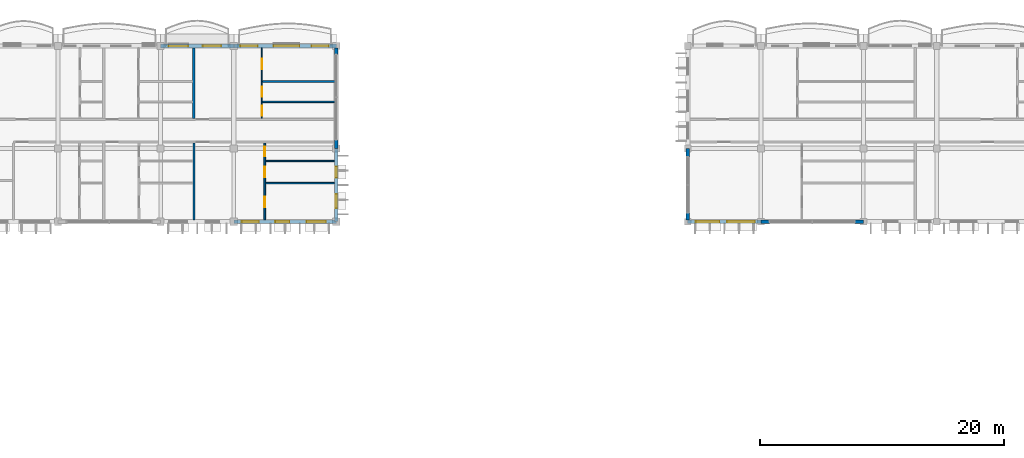
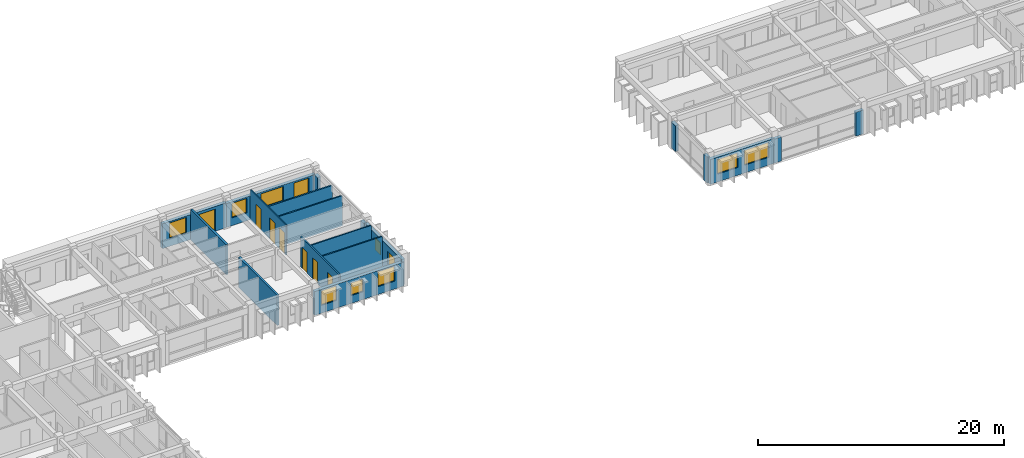
# One storey, part 32 of 68: 19 walls, 10 windows, 8 doors, 18 openings.
"""IFC4 building model written with IfcOpenShell, lengths in metres."""

from ifc_helpers import new_model, si_unit, direction, frame, frame_2d, origin, place, context, subcontext, project, spatial, rectangle, extrude, material, layer, layer_set, type_object, element, fill, save


model = new_model("IFC4")

# Units and contexts
model_context = context("Model", 3, precision=1e-05, world=origin(), true_north=direction((0.0, 1.0)))
body_context = subcontext(model_context, "Body", "Model", "MODEL_VIEW")
ifc_project = project(units=[si_unit("LENGTHUNIT", "METRE"), si_unit("AREAUNIT", "SQUARE_METRE"), si_unit("VOLUMEUNIT", "CUBIC_METRE"), si_unit("PLANEANGLEUNIT", "RADIAN"), si_unit("MASSUNIT", "GRAM", prefix="KILO"), si_unit("THERMODYNAMICTEMPERATUREUNIT", "KELVIN")], contexts=[model_context])

# Site, building, storey
site_placement = place(None, origin())
site = spatial("IfcSite", under=ifc_project, at=site_placement, CompositionType="ELEMENT")
building_placement = place(site_placement, origin())
building = spatial("IfcBuilding", under=site, at=building_placement, Name="Thalorik Housing Commons", CompositionType="ELEMENT")
storey_placement = place(building_placement, frame((0.0, 0.0, 24.60009765625)))
storey = spatial("IfcBuildingStorey", under=building, at=storey_placement, Name="L07", CompositionType="ELEMENT", Elevation=24.60009765625)

# Walls
ifc_material_1 = material(Name="White precast concrete C40/50", Category="concrete")
ifc_layer_1 = layer(ifc_material_1, 0.2900390625, Name="White precast concrete C40/50", Category="concrete")
ifc_layer_set_1 = layer_set([ifc_layer_1], Name="White precast concrete C40/50")
wall_type_1 = type_object("IfcWallType", Name="ARC-WAL-EXT-290", PredefinedType="STANDARD", material=ifc_layer_set_1)
wall_1_placement = place(storey_placement, frame((80.39990234375, 115.199951171875, 0.0), z_axis=(0.0, 0.0, 1.0), x_axis=(0.0, -1.0, 0.0)))
element("IfcWall", 1, at=wall_1_placement, inside=storey, type_object=wall_type_1, Name="L07 Exterior Wall WAL-PIERL-L07-B-0650", PredefinedType="STANDARD", context=body_context, shape_type="SweptSolid", body=[
    extrude(rectangle(XDim=0.699951171875, YDim=0.2900390625, at=frame_2d((0.35009765625, 0.0))), origin(), (0.0, 0.0, 1.0), 2.574951171875),
])
wall_2_placement = place(storey_placement, frame((80.39990234375, 109.89990234375, 0.0), z_axis=(0.0, 0.0, 1.0), x_axis=(0.0, -1.0, 0.0)))
element("IfcWall", 2, at=wall_2_placement, inside=storey, type_object=wall_type_1, Name="L07 Exterior Wall WAL-PIERR-L07-B-0650", PredefinedType="STANDARD", context=body_context, shape_type="SweptSolid", body=[
    extrude(rectangle(XDim=0.552978515625, YDim=0.2900390625, at=frame_2d((0.2763671875, 0.0))), origin(), (0.0, 0.0, 1.0), 2.574951171875),
])

# Wall, openings, windows
wall_3_placement = place(storey_placement, frame((80.39990234375, 109.199951171875, 0.0), z_axis=(0.0, 0.0, 1.0), x_axis=(1.0, 0.0, 0.0)))
wall_3 = element("IfcWall", 3, at=wall_3_placement, inside=storey, type_object=wall_type_1, Name="L07 Exterior Wall WAL-EXT-L07-B-0651", PredefinedType="STANDARD", context=body_context, shape_type="SweptSolid", body=[
    extrude(rectangle(XDim=6.0, YDim=0.2900390625, at=frame_2d((3.0, 0.0))), origin(), (0.0, 0.0, 1.0), 2.474853515625),
])
opening_1_placement = place(wall_3_placement, frame((0.669921875, 0.0, 0.780029296875)))
opening_1 = element("IfcOpeningElement", 4, at=opening_1_placement, cuts=wall_3, Name="Opening W-60", PredefinedType="OPENING", context=body_context, shape_type="SweptSolid", body=[
    extrude(rectangle(XDim=1.919921875, YDim=1.43994140625, at=frame_2d((0.9599609375, 0.719970703125))), frame((0.0, 0.155029296875, 0.0), z_axis=(0.0, -1.0, 0.0), x_axis=(1.0, 0.0, 0.0)), (0.0, 0.0, 1.0), 0.31005859375),
])
opening_2_placement = place(wall_3_placement, frame((3.22998046875, 0.0, 0.780029296875)))
opening_2 = element("IfcOpeningElement", 5, at=opening_2_placement, cuts=wall_3, Name="Opening W-67", PredefinedType="OPENING", context=body_context, shape_type="SweptSolid", body=[
    extrude(rectangle(XDim=2.280029296875, YDim=1.4599609375, at=frame_2d((1.14013671875, 0.72998046875))), frame((0.0, 0.155029296875, 0.0), z_axis=(0.0, -1.0, 0.0), x_axis=(1.0, 0.0, 0.0)), (0.0, 0.0, 1.0), 0.31005859375),
])
ifc_material_2 = material(Name="Anodised aluminium and solar-control low-E glass", Category="aluminium")
window_type_1 = type_object("IfcWindowType", Name="ARC-WIN-60", PartitioningType="DOUBLE_PANEL_VERTICAL", PredefinedType="WINDOW", material=ifc_material_2)
window_1_placement = place(opening_1_placement, origin())
window_1 = element("IfcWindow", 6, at=window_1_placement, inside=storey, type_object=window_type_1, Name="L07 Facade Window 1189", OverallHeight=1.43994140625, OverallWidth=1.919921875, PartitioningType="DOUBLE_PANEL_VERTICAL", PredefinedType="WINDOW", context=body_context, shape_type="SweptSolid", body=[
    extrude(rectangle(XDim=1.919921875, YDim=1.43994140625, at=frame_2d((0.9599609375, 0.719970703125))), frame((0.0, 0.030029296875, 0.0), z_axis=(0.0, -1.0, 0.0), x_axis=(1.0, 0.0, 0.0)), (0.0, 0.0, 1.0), 0.06005859375),
])
fill(opening_1, window_1)
window_type_2 = type_object("IfcWindowType", Name="ARC-WIN-67", PartitioningType="DOUBLE_PANEL_VERTICAL", PredefinedType="WINDOW", material=ifc_material_2)
window_2_placement = place(opening_2_placement, origin())
window_2 = element("IfcWindow", 7, at=window_2_placement, inside=storey, type_object=window_type_2, Name="L07 Facade Window 1190", OverallHeight=1.4599609375, OverallWidth=2.280029296875, PartitioningType="DOUBLE_PANEL_VERTICAL", PredefinedType="WINDOW", context=body_context, shape_type="SweptSolid", body=[
    extrude(rectangle(XDim=2.280029296875, YDim=1.4599609375, at=frame_2d((1.14013671875, 0.72998046875))), frame((0.0, 0.030029296875, 0.0), z_axis=(0.0, -1.0, 0.0), x_axis=(1.0, 0.0, 0.0)), (0.0, 0.0, 1.0), 0.06005859375),
])
fill(opening_2, window_2)

# Walls
wall_4_placement = place(storey_placement, frame((86.39990234375, 109.199951171875, 0.0), z_axis=(0.0, 0.0, 1.0), x_axis=(1.0, 0.0, 0.0)))
element("IfcWall", 8, at=wall_4_placement, inside=storey, type_object=wall_type_1, Name="L07 Exterior Wall WAL-PIERL-L07-B-0652", PredefinedType="STANDARD", context=body_context, shape_type="SweptSolid", body=[
    extrude(rectangle(XDim=0.7001953125, YDim=0.2900390625, at=frame_2d((0.35009765625, 0.0))), origin(), (0.0, 0.0, 1.0), 2.375),
])
wall_5_placement = place(storey_placement, frame((94.10009765625, 109.199951171875, 0.0), z_axis=(0.0, 0.0, 1.0), x_axis=(1.0, 0.0, 0.0)))
element("IfcWall", 9, at=wall_5_placement, inside=storey, type_object=wall_type_1, Name="L07 Exterior Wall WAL-PIERR-L07-B-0652", PredefinedType="STANDARD", context=body_context, shape_type="SweptSolid", body=[
    extrude(rectangle(XDim=0.699951171875, YDim=0.2900390625, at=frame_2d((0.35009765625, 0.0))), origin(), (0.0, 0.0, 1.0), 2.375),
])

# Wall, openings, windows
ifc_layer_2 = layer(ifc_material_1, 0.304931640625, Name="White precast concrete C40/50", Category="concrete")
ifc_layer_set_2 = layer_set([ifc_layer_2], Name="White precast concrete C40/50")
wall_type_2 = type_object("IfcWallType", Name="ARC-WAL-EXT-305", PredefinedType="STANDARD", material=ifc_layer_set_2)
wall_6_placement = place(storey_placement, frame((43.199951171875, 109.199951171875, 0.0), z_axis=(0.0, 0.0, 1.0), x_axis=(1.0, 0.0, 0.0)))
wall_6 = element("IfcWall", 10, at=wall_6_placement, inside=storey, type_object=wall_type_2, Name="L07 Exterior Wall WAL-EXT-L07-A-0194", PredefinedType="STANDARD", context=body_context, shape_type="SweptSolid", body=[
    extrude(rectangle(XDim=8.400146484375, YDim=0.304931640625, at=frame_2d((4.2001953125, 0.0))), origin(), (0.0, 0.0, 1.0), 2.375),
])
opening_3_placement = place(wall_6_placement, frame((0.66259765625, 0.0, 0.780029296875)))
opening_3 = element("IfcOpeningElement", 11, at=opening_3_placement, cuts=wall_6, Name="Opening W-08", PredefinedType="OPENING", context=body_context, shape_type="SweptSolid", body=[
    extrude(rectangle(XDim=1.39990234375, YDim=1.449951171875, at=frame_2d((0.699951171875, 0.72509765625))), frame((0.0, 0.16259765625, 0.0), z_axis=(0.0, -1.0, 0.0), x_axis=(1.0, 0.0, 0.0)), (0.0, 0.0, 1.0), 0.324951171875),
])
opening_4_placement = place(wall_6_placement, frame((3.413818359375, 0.0, 0.780029296875)))
opening_4 = element("IfcOpeningElement", 12, at=opening_4_placement, cuts=wall_6, Name="Opening W-45", PredefinedType="OPENING", context=body_context, shape_type="SweptSolid", body=[
    extrude(rectangle(XDim=1.14990234375, YDim=1.25, at=frame_2d((0.574951171875, 0.625))), frame((0.0, 0.16259765625, 0.0), z_axis=(0.0, -1.0, 0.0), x_axis=(1.0, 0.0, 0.0)), (0.0, 0.0, 1.0), 0.324951171875),
])
opening_5_placement = place(wall_6_placement, frame((5.96630859375, 0.0, 0.780029296875)))
opening_5 = element("IfcOpeningElement", 13, at=opening_5_placement, cuts=wall_6, Name="Opening W-53", PredefinedType="OPENING", context=body_context, shape_type="SweptSolid", body=[
    extrude(rectangle(XDim=1.580078125, YDim=1.47998046875, at=frame_2d((0.7900390625, 0.739990234375))), frame((0.0, 0.16259765625, 0.0), z_axis=(0.0, -1.0, 0.0), x_axis=(1.0, 0.0, 0.0)), (0.0, 0.0, 1.0), 0.324951171875),
])
window_type_3 = type_object("IfcWindowType", Name="ARC-WIN-08", PartitioningType="SINGLE_PANEL", PredefinedType="WINDOW", material=ifc_material_2)
window_3_placement = place(opening_3_placement, origin())
window_3 = element("IfcWindow", 14, at=window_3_placement, inside=storey, type_object=window_type_3, Name="L07 Facade Window 349", OverallHeight=1.449951171875, OverallWidth=1.39990234375, PartitioningType="SINGLE_PANEL", PredefinedType="WINDOW", context=body_context, shape_type="SweptSolid", body=[
    extrude(rectangle(XDim=1.39990234375, YDim=1.449951171875, at=frame_2d((0.699951171875, 0.72509765625))), frame((0.0, 0.030029296875, 0.0), z_axis=(0.0, -1.0, 0.0), x_axis=(1.0, 0.0, 0.0)), (0.0, 0.0, 1.0), 0.06005859375),
])
fill(opening_3, window_3)
window_type_4 = type_object("IfcWindowType", Name="ARC-WIN-45", PartitioningType="SINGLE_PANEL", PredefinedType="WINDOW", material=ifc_material_2)
window_4_placement = place(opening_4_placement, origin())
window_4 = element("IfcWindow", 15, at=window_4_placement, inside=storey, type_object=window_type_4, Name="L07 Facade Window 350", OverallHeight=1.25, OverallWidth=1.14990234375, PartitioningType="SINGLE_PANEL", PredefinedType="WINDOW", context=body_context, shape_type="SweptSolid", body=[
    extrude(rectangle(XDim=1.14990234375, YDim=1.25, at=frame_2d((0.574951171875, 0.625))), frame((0.0, 0.030029296875, 0.0), z_axis=(0.0, -1.0, 0.0), x_axis=(1.0, 0.0, 0.0)), (0.0, 0.0, 1.0), 0.06005859375),
])
fill(opening_4, window_4)
window_type_5 = type_object("IfcWindowType", Name="ARC-WIN-53", PartitioningType="SINGLE_PANEL", PredefinedType="WINDOW", material=ifc_material_2)
window_5_placement = place(opening_5_placement, origin())
window_5 = element("IfcWindow", 16, at=window_5_placement, inside=storey, type_object=window_type_5, Name="L07 Facade Window 351", OverallHeight=1.47998046875, OverallWidth=1.580078125, PartitioningType="SINGLE_PANEL", PredefinedType="WINDOW", context=body_context, shape_type="SweptSolid", body=[
    extrude(rectangle(XDim=1.580078125, YDim=1.47998046875, at=frame_2d((0.7900390625, 0.739990234375))), frame((0.0, 0.030029296875, 0.0), z_axis=(0.0, -1.0, 0.0), x_axis=(1.0, 0.0, 0.0)), (0.0, 0.0, 1.0), 0.06005859375),
])
fill(opening_5, window_5)

wall_7_placement = place(storey_placement, frame((51.60009765625, 109.199951171875, 0.0), z_axis=(0.0, 0.0, 1.0), x_axis=(0.0, 1.0, 0.0)))
wall_7 = element("IfcWall", 17, at=wall_7_placement, inside=storey, type_object=wall_type_2, Name="L07 Exterior Wall WAL-EXT-L07-A-0195", PredefinedType="STANDARD", context=body_context, shape_type="SweptSolid", body=[
    extrude(rectangle(XDim=6.0, YDim=0.304931640625, at=frame_2d((3.0, 0.0))), origin(), (0.0, 0.0, 1.0), 2.574951171875),
])
opening_6_placement = place(wall_7_placement, frame((1.100341796875, 0.0, 0.780029296875)))
opening_6 = element("IfcOpeningElement", 18, at=opening_6_placement, cuts=wall_7, Name="Opening W-45", PredefinedType="OPENING", context=body_context, shape_type="SweptSolid", body=[
    extrude(rectangle(XDim=1.14990234375, YDim=1.25, at=frame_2d((0.574951171875, 0.625))), frame((0.0, 0.16259765625, 0.0), z_axis=(0.0, -1.0, 0.0), x_axis=(1.0, 0.0, 0.0)), (0.0, 0.0, 1.0), 0.324951171875),
])
opening_7_placement = place(wall_7_placement, frame((3.615234375, 0.0, 0.780029296875)))
opening_7 = element("IfcOpeningElement", 19, at=opening_7_placement, cuts=wall_7, Name="Opening W-01", PredefinedType="OPENING", context=body_context, shape_type="SweptSolid", body=[
    extrude(rectangle(XDim=0.89990234375, YDim=1.199951171875, at=frame_2d((0.449951171875, 0.60009765625))), frame((0.0, 0.16259765625, 0.0), z_axis=(0.0, -1.0, 0.0), x_axis=(1.0, 0.0, 0.0)), (0.0, 0.0, 1.0), 0.324951171875),
])
window_type_6 = type_object("IfcWindowType", Name="ARC-WIN-01", PartitioningType="SINGLE_PANEL", PredefinedType="WINDOW", material=ifc_material_2)
window_6_placement = place(opening_7_placement, origin())
window_6 = element("IfcWindow", 20, at=window_6_placement, inside=storey, type_object=window_type_6, Name="L07 Facade Window 353", OverallHeight=1.199951171875, OverallWidth=0.89990234375, PartitioningType="SINGLE_PANEL", PredefinedType="WINDOW", context=body_context, shape_type="SweptSolid", body=[
    extrude(rectangle(XDim=0.89990234375, YDim=1.199951171875, at=frame_2d((0.449951171875, 0.60009765625))), frame((0.0, 0.030029296875, 0.0), z_axis=(0.0, -1.0, 0.0), x_axis=(1.0, 0.0, 0.0)), (0.0, 0.0, 1.0), 0.06005859375),
])
fill(opening_7, window_6)
window_7_placement = place(opening_6_placement, origin())
window_7 = element("IfcWindow", 21, at=window_7_placement, inside=storey, type_object=window_type_4, Name="L07 Facade Window 352", OverallHeight=1.25, OverallWidth=1.14990234375, PartitioningType="SINGLE_PANEL", PredefinedType="WINDOW", context=body_context, shape_type="SweptSolid", body=[
    extrude(rectangle(XDim=1.14990234375, YDim=1.25, at=frame_2d((0.574951171875, 0.625))), frame((0.0, 0.030029296875, 0.0), z_axis=(0.0, -1.0, 0.0), x_axis=(1.0, 0.0, 0.0)), (0.0, 0.0, 1.0), 0.06005859375),
])
fill(opening_6, window_7)

# Walls
wall_8_placement = place(storey_placement, frame((51.60009765625, 115.199951171875, 0.0), z_axis=(0.0, 0.0, 1.0), x_axis=(0.0, 1.0, 0.0)))
element("IfcWall", 22, at=wall_8_placement, inside=storey, type_object=wall_type_2, Name="L07 Exterior Wall WAL-PIERL-L07-A-0196", PredefinedType="STANDARD", context=body_context, shape_type="SweptSolid", body=[
    extrude(rectangle(XDim=0.699951171875, YDim=0.304931640625, at=frame_2d((0.35009765625, 0.0))), origin(), (0.0, 0.0, 1.0), 2.4248046875),
])
wall_9_placement = place(storey_placement, frame((51.60009765625, 122.89990234375, 0.0), z_axis=(0.0, 0.0, 1.0), x_axis=(0.0, 1.0, 0.0)))
element("IfcWall", 23, at=wall_9_placement, inside=storey, type_object=wall_type_2, Name="L07 Exterior Wall WAL-PIERR-L07-A-0196", PredefinedType="STANDARD", context=body_context, shape_type="SweptSolid", body=[
    extrude(rectangle(XDim=0.545654296875, YDim=0.304931640625, at=frame_2d((0.27294921875, 0.0))), origin(), (0.0, 0.0, 1.0), 2.4248046875),
])

# Wall, openings, door, windows
wall_10_placement = place(storey_placement, frame((51.60009765625, 123.60009765625, 0.0), z_axis=(0.0, 0.0, 1.0), x_axis=(-1.0, 0.0, 0.0)))
wall_10 = element("IfcWall", 24, at=wall_10_placement, inside=storey, type_object=wall_type_2, Name="L07 Exterior Wall WAL-EXT-L07-A-0197", PredefinedType="STANDARD", context=body_context, shape_type="SweptSolid", body=[
    extrude(rectangle(XDim=8.400146484375, YDim=0.304931640625, at=frame_2d((4.2001953125, 0.0))), origin(), (0.0, 0.0, 1.0), 2.375),
])
opening_8_placement = place(wall_10_placement, frame((0.6201171875, 0.0, 0.0)))
opening_8 = element("IfcOpeningElement", 25, at=opening_8_placement, cuts=wall_10, Name="Opening ED-0061", PredefinedType="OPENING", context=body_context, shape_type="SweptSolid", body=[
    extrude(rectangle(XDim=1.39990234375, YDim=2.199951171875, at=frame_2d((0.699951171875, 1.10009765625))), frame((0.0, 0.16259765625, 0.0), z_axis=(0.0, -1.0, 0.0), x_axis=(1.0, 0.0, 0.0)), (0.0, 0.0, 1.0), 0.324951171875),
])
opening_9_placement = place(wall_10_placement, frame((3.023681640625, 0.0, 0.780029296875)))
opening_9 = element("IfcOpeningElement", 26, at=opening_9_placement, cuts=wall_10, Name="Opening W-64", PredefinedType="OPENING", context=body_context, shape_type="SweptSolid", body=[
    extrude(rectangle(XDim=2.1201171875, YDim=1.43994140625, at=frame_2d((1.06005859375, 0.719970703125))), frame((0.0, 0.16259765625, 0.0), z_axis=(0.0, -1.0, 0.0), x_axis=(1.0, 0.0, 0.0)), (0.0, 0.0, 1.0), 0.324951171875),
])
opening_10_placement = place(wall_10_placement, frame((6.45361328125, 0.0, 0.780029296875)))
opening_10 = element("IfcOpeningElement", 27, at=opening_10_placement, cuts=wall_10, Name="Opening W-08", PredefinedType="OPENING", context=body_context, shape_type="SweptSolid", body=[
    extrude(rectangle(XDim=1.39990234375, YDim=1.449951171875, at=frame_2d((0.699951171875, 0.72509765625))), frame((0.0, 0.16259765625, 0.0), z_axis=(0.0, -1.0, 0.0), x_axis=(1.0, 0.0, 0.0)), (0.0, 0.0, 1.0), 0.324951171875),
])
ifc_material_3 = material(Name="Anodised aluminium and laminated safety glass", Category="aluminium")
door_type_1 = type_object("IfcDoorType", Name="ARC-DR-BAL-1400", OperationType="NOTDEFINED", PredefinedType="DOOR", material=ifc_material_3)
door_1_placement = place(opening_8_placement, frame((1.39990234375, 0.0, 0.0), z_axis=(0.0, 0.0, 1.0), x_axis=(-1.0, 0.0, 0.0)))
door_1 = element("IfcDoor", 28, at=door_1_placement, inside=storey, type_object=door_type_1, Name="L07 Block A Balcony Glazed Door", OperationType="SLIDING_TO_LEFT", OverallHeight=2.199951171875, OverallWidth=1.39990234375, PredefinedType="DOOR", context=body_context, shape_type="SweptSolid", body=[
    extrude(rectangle(XDim=1.39990234375, YDim=2.199951171875, at=frame_2d((0.699951171875, 1.10009765625))), frame((0.0, 0.02490234375, 0.0), z_axis=(0.0, -1.0, 0.0), x_axis=(1.0, 0.0, 0.0)), (0.0, 0.0, 1.0), 0.050048828125),
])
fill(opening_8, door_1)
window_8_placement = place(opening_10_placement, origin())
window_8 = element("IfcWindow", 29, at=window_8_placement, inside=storey, type_object=window_type_3, Name="L07 Facade Window 355", OverallHeight=1.449951171875, OverallWidth=1.39990234375, PartitioningType="SINGLE_PANEL", PredefinedType="WINDOW", context=body_context, shape_type="SweptSolid", body=[
    extrude(rectangle(XDim=1.39990234375, YDim=1.449951171875, at=frame_2d((0.699951171875, 0.72509765625))), frame((0.0, 0.030029296875, 0.0), z_axis=(0.0, -1.0, 0.0), x_axis=(1.0, 0.0, 0.0)), (0.0, 0.0, 1.0), 0.06005859375),
])
fill(opening_10, window_8)
window_type_7 = type_object("IfcWindowType", Name="ARC-WIN-64", PartitioningType="DOUBLE_PANEL_VERTICAL", PredefinedType="WINDOW", material=ifc_material_2)
window_9_placement = place(opening_9_placement, origin())
window_9 = element("IfcWindow", 30, at=window_9_placement, inside=storey, type_object=window_type_7, Name="L07 Facade Window 354", OverallHeight=1.43994140625, OverallWidth=2.1201171875, PartitioningType="DOUBLE_PANEL_VERTICAL", PredefinedType="WINDOW", context=body_context, shape_type="SweptSolid", body=[
    extrude(rectangle(XDim=2.1201171875, YDim=1.43994140625, at=frame_2d((1.06005859375, 0.719970703125))), frame((0.0, 0.030029296875, 0.0), z_axis=(0.0, -1.0, 0.0), x_axis=(1.0, 0.0, 0.0)), (0.0, 0.0, 1.0), 0.06005859375),
])
fill(opening_9, window_9)

# Wall, openings, door, window
wall_11_placement = place(storey_placement, frame((43.199951171875, 123.60009765625, 0.0), z_axis=(0.0, 0.0, 1.0), x_axis=(-1.0, 0.0, 0.0)))
wall_11 = element("IfcWall", 31, at=wall_11_placement, inside=storey, type_object=wall_type_2, Name="L07 Exterior Wall WAL-EXT-L07-A-0198", PredefinedType="STANDARD", context=body_context, shape_type="SweptSolid", body=[
    extrude(rectangle(XDim=6.0, YDim=0.304931640625, at=frame_2d((3.0, 0.0))), origin(), (0.0, 0.0, 1.0), 2.474853515625),
])
opening_11_placement = place(wall_11_placement, frame((1.030029296875, 0.0, 0.0)))
opening_11 = element("IfcOpeningElement", 32, at=opening_11_placement, cuts=wall_11, Name="Opening ED-0062", PredefinedType="OPENING", context=body_context, shape_type="SweptSolid", body=[
    extrude(rectangle(XDim=1.5, YDim=2.199951171875, at=frame_2d((0.75, 1.10009765625))), frame((0.0, 0.16259765625, 0.0), z_axis=(0.0, -1.0, 0.0), x_axis=(1.0, 0.0, 0.0)), (0.0, 0.0, 1.0), 0.324951171875),
])
opening_12_placement = place(wall_11_placement, frame((3.739990234375, 0.0, 0.780029296875)))
opening_12 = element("IfcOpeningElement", 33, at=opening_12_placement, cuts=wall_11, Name="Opening W-13", PredefinedType="OPENING", context=body_context, shape_type="SweptSolid", body=[
    extrude(rectangle(XDim=1.60009765625, YDim=1.550048828125, at=frame_2d((0.800048828125, 0.77490234375))), frame((0.0, 0.16259765625, 0.0), z_axis=(0.0, -1.0, 0.0), x_axis=(1.0, 0.0, 0.0)), (0.0, 0.0, 1.0), 0.324951171875),
])
door_type_2 = type_object("IfcDoorType", Name="ARC-DR-BAL-1500", OperationType="NOTDEFINED", PredefinedType="DOOR", material=ifc_material_3)
door_2_placement = place(opening_11_placement, frame((1.5, 0.0, 0.0), z_axis=(0.0, 0.0, 1.0), x_axis=(-1.0, 0.0, 0.0)))
door_2 = element("IfcDoor", 34, at=door_2_placement, inside=storey, type_object=door_type_2, Name="L07 Block A Balcony Glazed Door", OperationType="SLIDING_TO_RIGHT", OverallHeight=2.199951171875, OverallWidth=1.5, PredefinedType="DOOR", context=body_context, shape_type="SweptSolid", body=[
    extrude(rectangle(XDim=1.5, YDim=2.199951171875, at=frame_2d((0.75, 1.10009765625))), frame((0.0, 0.02490234375, 0.0), z_axis=(0.0, -1.0, 0.0), x_axis=(1.0, 0.0, 0.0)), (0.0, 0.0, 1.0), 0.050048828125),
])
fill(opening_11, door_2)
window_type_8 = type_object("IfcWindowType", Name="ARC-WIN-13", PartitioningType="DOUBLE_PANEL_VERTICAL", PredefinedType="WINDOW", material=ifc_material_2)
window_10_placement = place(opening_12_placement, origin())
window_10 = element("IfcWindow", 35, at=window_10_placement, inside=storey, type_object=window_type_8, Name="L07 Facade Window 356", OverallHeight=1.550048828125, OverallWidth=1.60009765625, PartitioningType="DOUBLE_PANEL_VERTICAL", PredefinedType="WINDOW", context=body_context, shape_type="SweptSolid", body=[
    extrude(rectangle(XDim=1.60009765625, YDim=1.550048828125, at=frame_2d((0.800048828125, 0.77490234375))), frame((0.0, 0.030029296875, 0.0), z_axis=(0.0, -1.0, 0.0), x_axis=(1.0, 0.0, 0.0)), (0.0, 0.0, 1.0), 0.06005859375),
])
fill(opening_12, window_10)

# Wall, openings, doors
ifc_material_4 = material(Name="Gypsum light stud partition", Category="masonry")
ifc_layer_3 = layer(ifc_material_4, 0.10009765625, Name="Gypsum light stud partition", Category="masonry")
ifc_layer_set_3 = layer_set([ifc_layer_3], Name="Gypsum light stud partition")
wall_type_3 = type_object("IfcWallType", Name="ARC-WAL-PART-100", PredefinedType="PARTITIONING", material=ifc_layer_set_3)
wall_12_placement = place(storey_placement, frame((45.502685546875, 117.656982421875, 0.0), z_axis=(0.0, 0.0, 1.0), x_axis=(0.0, 1.0, 0.0)))
wall_12 = element("IfcWall", 36, at=wall_12_placement, inside=storey, type_object=wall_type_3, Name="L07 Unit 3B Spine Partition", PredefinedType="PARTITIONING", context=body_context, shape_type="SweptSolid", body=[
    extrude(rectangle(XDim=5.78857421875, YDim=0.10009765625, at=frame_2d((2.894287109375, 0.0))), origin(), (0.0, 0.0, 1.0), 3.0),
])
opening_13_placement = place(wall_12_placement, frame((0.23828125, 0.0, 0.0)))
opening_13 = element("IfcOpeningElement", 37, at=opening_13_placement, cuts=wall_12, Name="Opening ID-0700", PredefinedType="OPENING", context=body_context, shape_type="SweptSolid", body=[
    extrude(rectangle(XDim=0.800048828125, YDim=2.10009765625, at=frame_2d((0.39990234375, 1.050048828125))), frame((0.0, 0.06005859375, 0.0), z_axis=(0.0, -1.0, 0.0), x_axis=(1.0, 0.0, 0.0)), (0.0, 0.0, 1.0), 0.1201171875),
])
opening_14_placement = place(wall_12_placement, frame((1.7626953125, 0.0, 0.0)))
opening_14 = element("IfcOpeningElement", 38, at=opening_14_placement, cuts=wall_12, Name="Opening ID-0701", PredefinedType="OPENING", context=body_context, shape_type="SweptSolid", body=[
    extrude(rectangle(XDim=0.85009765625, YDim=2.10009765625, at=frame_2d((0.425048828125, 1.050048828125))), frame((0.0, 0.06005859375, 0.0), z_axis=(0.0, -1.0, 0.0), x_axis=(1.0, 0.0, 0.0)), (0.0, 0.0, 1.0), 0.1201171875),
])
opening_15_placement = place(wall_12_placement, frame((4.027587890625, 0.0, 0.0)))
opening_15 = element("IfcOpeningElement", 39, at=opening_15_placement, cuts=wall_12, Name="Opening ID-0702", PredefinedType="OPENING", context=body_context, shape_type="SweptSolid", body=[
    extrude(rectangle(XDim=0.85009765625, YDim=2.10009765625, at=frame_2d((0.425048828125, 1.050048828125))), frame((0.0, 0.06005859375, 0.0), z_axis=(0.0, -1.0, 0.0), x_axis=(1.0, 0.0, 0.0)), (0.0, 0.0, 1.0), 0.1201171875),
])
ifc_material_5 = material(Name="Moisture-resistant timber", Category="wood")
door_type_3 = type_object("IfcDoorType", Name="ARC-DR-INT-800", OperationType="NOTDEFINED", PredefinedType="DOOR", material=ifc_material_5)
door_3_placement = place(opening_13_placement, origin())
door_3 = element("IfcDoor", 40, at=door_3_placement, inside=storey, type_object=door_type_3, Name="L07 Flat Bathroom Door", OperationType="SINGLE_SWING_LEFT", OverallHeight=2.10009765625, OverallWidth=0.800048828125, PredefinedType="DOOR", context=body_context, shape_type="SweptSolid", body=[
    extrude(rectangle(XDim=0.800048828125, YDim=2.10009765625, at=frame_2d((0.39990234375, 1.050048828125))), frame((0.0, 0.02490234375, 0.0), z_axis=(0.0, -1.0, 0.0), x_axis=(1.0, 0.0, 0.0)), (0.0, 0.0, 1.0), 0.050048828125),
])
fill(opening_13, door_3)
ifc_material_6 = material(Name="Engineered oak timber", Category="wood")
door_type_4 = type_object("IfcDoorType", Name="ARC-DR-INT-850", OperationType="NOTDEFINED", PredefinedType="DOOR", material=ifc_material_6)
door_4_placement = place(opening_14_placement, origin())
door_4 = element("IfcDoor", 41, at=door_4_placement, inside=storey, type_object=door_type_4, Name="L07 Galley Kitchen Door", OperationType="SINGLE_SWING_RIGHT", OverallHeight=2.10009765625, OverallWidth=0.85009765625, PredefinedType="DOOR", context=body_context, shape_type="SweptSolid", body=[
    extrude(rectangle(XDim=0.85009765625, YDim=2.10009765625, at=frame_2d((0.425048828125, 1.050048828125))), frame((0.0, 0.02490234375, 0.0), z_axis=(0.0, -1.0, 0.0), x_axis=(1.0, 0.0, 0.0)), (0.0, 0.0, 1.0), 0.050048828125),
])
fill(opening_14, door_4)
door_5_placement = place(opening_15_placement, origin())
door_5 = element("IfcDoor", 42, at=door_5_placement, inside=storey, type_object=door_type_4, Name="L07 Single Bedroom Door", OperationType="SINGLE_SWING_LEFT", OverallHeight=2.10009765625, OverallWidth=0.85009765625, PredefinedType="DOOR", context=body_context, shape_type="SweptSolid", body=[
    extrude(rectangle(XDim=0.85009765625, YDim=2.10009765625, at=frame_2d((0.425048828125, 1.050048828125))), frame((0.0, 0.02490234375, 0.0), z_axis=(0.0, -1.0, 0.0), x_axis=(1.0, 0.0, 0.0)), (0.0, 0.0, 1.0), 0.050048828125),
])
fill(opening_15, door_5)

# Walls
ifc_material_7 = material(Name="Gypsum moisture-resistant partition", Category="masonry")
ifc_layer_4 = layer(ifc_material_7, 0.114990234375, Name="Gypsum moisture-resistant partition", Category="masonry")
ifc_layer_set_4 = layer_set([ifc_layer_4], Name="Gypsum moisture-resistant partition")
wall_type_4 = type_object("IfcWallType", Name="ARC-WAL-PART-115", PredefinedType="PARTITIONING", material=ifc_layer_set_4)
wall_13_placement = place(storey_placement, frame((45.806884765625, 114.169677734375, 0.0), z_axis=(0.0, 0.0, 1.0), x_axis=(1.0, 0.0, 0.0)))
element("IfcWall", 43, at=wall_13_placement, inside=storey, type_object=wall_type_4, Name="L07 Unit 3 Wet Wall", PredefinedType="PARTITIONING", context=body_context, shape_type="SweptSolid", body=[
    extrude(rectangle(XDim=5.638671875, YDim=0.114990234375, at=frame_2d((2.8193359375, 0.0))), origin(), (0.0, 0.0, 1.0), 3.0),
])
ifc_material_8 = material(Name="Gypsum acoustic stud partition", Category="masonry")
ifc_layer_5 = layer(ifc_material_8, 0.125, Name="Gypsum acoustic stud partition", Category="masonry")
ifc_layer_set_5 = layer_set([ifc_layer_5], Name="Gypsum acoustic stud partition")
wall_type_5 = type_object("IfcWallType", Name="ARC-WAL-PART-125", PredefinedType="PARTITIONING", material=ifc_layer_set_5)
wall_14_placement = place(storey_placement, frame((45.806884765625, 112.36083984375, 0.0), z_axis=(0.0, 0.0, 1.0), x_axis=(1.0, 0.0, 0.0)))
element("IfcWall", 44, at=wall_14_placement, inside=storey, type_object=wall_type_5, Name="L07 Unit 3 Bedroom Partition", PredefinedType="PARTITIONING", context=body_context, shape_type="SweptSolid", body=[
    extrude(rectangle(XDim=5.638671875, YDim=0.125, at=frame_2d((2.8193359375, 0.0))), origin(), (0.0, 0.0, 1.0), 3.0),
])
wall_15_placement = place(storey_placement, frame((45.5546875, 119.010498046875, 0.0), z_axis=(0.0, 0.0, 1.0), x_axis=(1.0, 0.0, 0.0)))
element("IfcWall", 45, at=wall_15_placement, inside=storey, type_object=wall_type_5, Name="L07 Unit 3B Wet Wall", PredefinedType="PARTITIONING", context=body_context, shape_type="SweptSolid", body=[
    extrude(rectangle(XDim=5.9853515625, YDim=0.125, at=frame_2d((2.99267578125, 0.0))), origin(), (0.0, 0.0, 1.0), 3.0),
])

# Wall, openings, doors
ifc_material_9 = material(Name="Ceramic masonry partition wall", Category="masonry")
ifc_layer_6 = layer(ifc_material_9, 0.139892578125, Name="Ceramic masonry partition wall", Category="masonry")
ifc_layer_set_6 = layer_set([ifc_layer_6], Name="Ceramic masonry partition wall")
wall_type_6 = type_object("IfcWallType", Name="ARC-WAL-PART-140", PredefinedType="PARTITIONING", material=ifc_layer_set_6)
wall_16_placement = place(storey_placement, frame((45.735107421875, 109.3544921875, 0.0), z_axis=(0.0, 0.0, 1.0), x_axis=(0.0, 1.0, 0.0)))
wall_16 = element("IfcWall", 46, at=wall_16_placement, inside=storey, type_object=wall_type_6, Name="L07 Unit 3 Spine Partition", PredefinedType="PARTITIONING", context=body_context, shape_type="SweptSolid", body=[
    extrude(rectangle(XDim=6.281005859375, YDim=0.139892578125, at=frame_2d((3.140625, 0.0))), origin(), (0.0, 0.0, 1.0), 3.0),
])
opening_16_placement = place(wall_16_placement, frame((1.031005859375, 0.0, 0.0)))
opening_16 = element("IfcOpeningElement", 47, at=opening_16_placement, cuts=wall_16, Name="Opening ID-0697", PredefinedType="OPENING", context=body_context, shape_type="SweptSolid", body=[
    extrude(rectangle(XDim=0.85009765625, YDim=2.10009765625, at=frame_2d((0.425048828125, 1.050048828125))), frame((0.0, 0.080078125, 0.0), z_axis=(0.0, -1.0, 0.0), x_axis=(1.0, 0.0, 0.0)), (0.0, 0.0, 1.0), 0.159912109375),
])
opening_17_placement = place(wall_16_placement, frame((3.485595703125, 0.0, 0.0)))
opening_17 = element("IfcOpeningElement", 48, at=opening_17_placement, cuts=wall_16, Name="Opening ID-0698", PredefinedType="OPENING", context=body_context, shape_type="SweptSolid", body=[
    extrude(rectangle(XDim=0.85009765625, YDim=2.10009765625, at=frame_2d((0.425048828125, 1.050048828125))), frame((0.0, 0.080078125, 0.0), z_axis=(0.0, -1.0, 0.0), x_axis=(1.0, 0.0, 0.0)), (0.0, 0.0, 1.0), 0.159912109375),
])
opening_18_placement = place(wall_16_placement, frame((5.190185546875, 0.0, 0.0)))
opening_18 = element("IfcOpeningElement", 49, at=opening_18_placement, cuts=wall_16, Name="Opening ID-0699", PredefinedType="OPENING", context=body_context, shape_type="SweptSolid", body=[
    extrude(rectangle(XDim=0.800048828125, YDim=2.10009765625, at=frame_2d((0.39990234375, 1.050048828125))), frame((0.0, 0.080078125, 0.0), z_axis=(0.0, -1.0, 0.0), x_axis=(1.0, 0.0, 0.0)), (0.0, 0.0, 1.0), 0.159912109375),
])
door_6_placement = place(opening_18_placement, origin())
door_6 = element("IfcDoor", 50, at=door_6_placement, inside=storey, type_object=door_type_3, Name="L07 Flat Bathroom Door", OperationType="SINGLE_SWING_RIGHT", OverallHeight=2.10009765625, OverallWidth=0.800048828125, PredefinedType="DOOR", context=body_context, shape_type="SweptSolid", body=[
    extrude(rectangle(XDim=0.800048828125, YDim=2.10009765625, at=frame_2d((0.39990234375, 1.050048828125))), frame((0.0, 0.02490234375, 0.0), z_axis=(0.0, -1.0, 0.0), x_axis=(1.0, 0.0, 0.0)), (0.0, 0.0, 1.0), 0.050048828125),
])
fill(opening_18, door_6)
door_7_placement = place(opening_16_placement, origin())
door_7 = element("IfcDoor", 51, at=door_7_placement, inside=storey, type_object=door_type_4, Name="L07 Double Bedroom Door", OperationType="SINGLE_SWING_RIGHT", OverallHeight=2.10009765625, OverallWidth=0.85009765625, PredefinedType="DOOR", context=body_context, shape_type="SweptSolid", body=[
    extrude(rectangle(XDim=0.85009765625, YDim=2.10009765625, at=frame_2d((0.425048828125, 1.050048828125))), frame((0.0, 0.02490234375, 0.0), z_axis=(0.0, -1.0, 0.0), x_axis=(1.0, 0.0, 0.0)), (0.0, 0.0, 1.0), 0.050048828125),
])
fill(opening_16, door_7)
door_8_placement = place(opening_17_placement, origin())
door_8 = element("IfcDoor", 52, at=door_8_placement, inside=storey, type_object=door_type_4, Name="L07 Galley Kitchen Door", OperationType="SINGLE_SWING_LEFT", OverallHeight=2.10009765625, OverallWidth=0.85009765625, PredefinedType="DOOR", context=body_context, shape_type="SweptSolid", body=[
    extrude(rectangle(XDim=0.85009765625, YDim=2.10009765625, at=frame_2d((0.425048828125, 1.050048828125))), frame((0.0, 0.02490234375, 0.0), z_axis=(0.0, -1.0, 0.0), x_axis=(1.0, 0.0, 0.0)), (0.0, 0.0, 1.0), 0.050048828125),
])
fill(opening_17, door_8)

# Walls
wall_17_placement = place(storey_placement, frame((45.5546875, 120.67919921875, 0.0), z_axis=(0.0, 0.0, 1.0), x_axis=(1.0, 0.0, 0.0)))
element("IfcWall", 53, at=wall_17_placement, inside=storey, type_object=wall_type_6, Name="L07 Unit 3B Bedroom Partition", PredefinedType="PARTITIONING", context=body_context, shape_type="SweptSolid", body=[
    extrude(rectangle(XDim=5.9853515625, YDim=0.139892578125, at=frame_2d((2.99267578125, 0.0))), origin(), (0.0, 0.0, 1.0), 3.0),
])
ifc_material_10 = material(Name="Masonry acoustic blockwork wall", Category="masonry")
ifc_layer_7 = layer(ifc_material_10, 0.18505859375, Name="Masonry acoustic blockwork wall", Category="masonry")
ifc_layer_set_7 = layer_set([ifc_layer_7], Name="Masonry acoustic blockwork wall")
wall_type_7 = type_object("IfcWallType", Name="ARC-WAL-PARTY-185", PredefinedType="PARTITIONING", material=ifc_layer_set_7)
wall_18_placement = place(storey_placement, frame((39.929931640625, 109.3544921875, 0.0), z_axis=(0.0, 0.0, 1.0), x_axis=(0.0, 1.0, 0.0)))
element("IfcWall", 54, at=wall_18_placement, inside=storey, type_object=wall_type_7, Name="L07 Inter-Tenancy Wall 2A", PredefinedType="PARTITIONING", context=body_context, shape_type="SweptSolid", body=[
    extrude(rectangle(XDim=6.281005859375, YDim=0.18505859375, at=frame_2d((3.140625, 0.0))), origin(), (0.0, 0.0, 1.0), 3.0),
])
ifc_material_11 = material(Name="Precast concrete C40/50 acoustic wall", Category="concrete")
ifc_layer_8 = layer(ifc_material_11, 0.199951171875, Name="Precast concrete C40/50 acoustic wall", Category="concrete")
ifc_layer_set_8 = layer_set([ifc_layer_8], Name="Precast concrete C40/50 acoustic wall")
wall_type_8 = type_object("IfcWallType", Name="ARC-WAL-PARTY-200", PredefinedType="PARTITIONING", material=ifc_layer_set_8)
wall_19_placement = place(storey_placement, frame((39.929931640625, 117.656982421875, 0.0), z_axis=(0.0, 0.0, 1.0), x_axis=(0.0, 1.0, 0.0)))
element("IfcWall", 55, at=wall_19_placement, inside=storey, type_object=wall_type_8, Name="L07 Inter-Tenancy Wall 2B", PredefinedType="PARTITIONING", context=body_context, shape_type="SweptSolid", body=[
    extrude(rectangle(XDim=5.78857421875, YDim=0.199951171875, at=frame_2d((2.894287109375, 0.0))), origin(), (0.0, 0.0, 1.0), 3.0),
])

save(model, "model.ifc")
